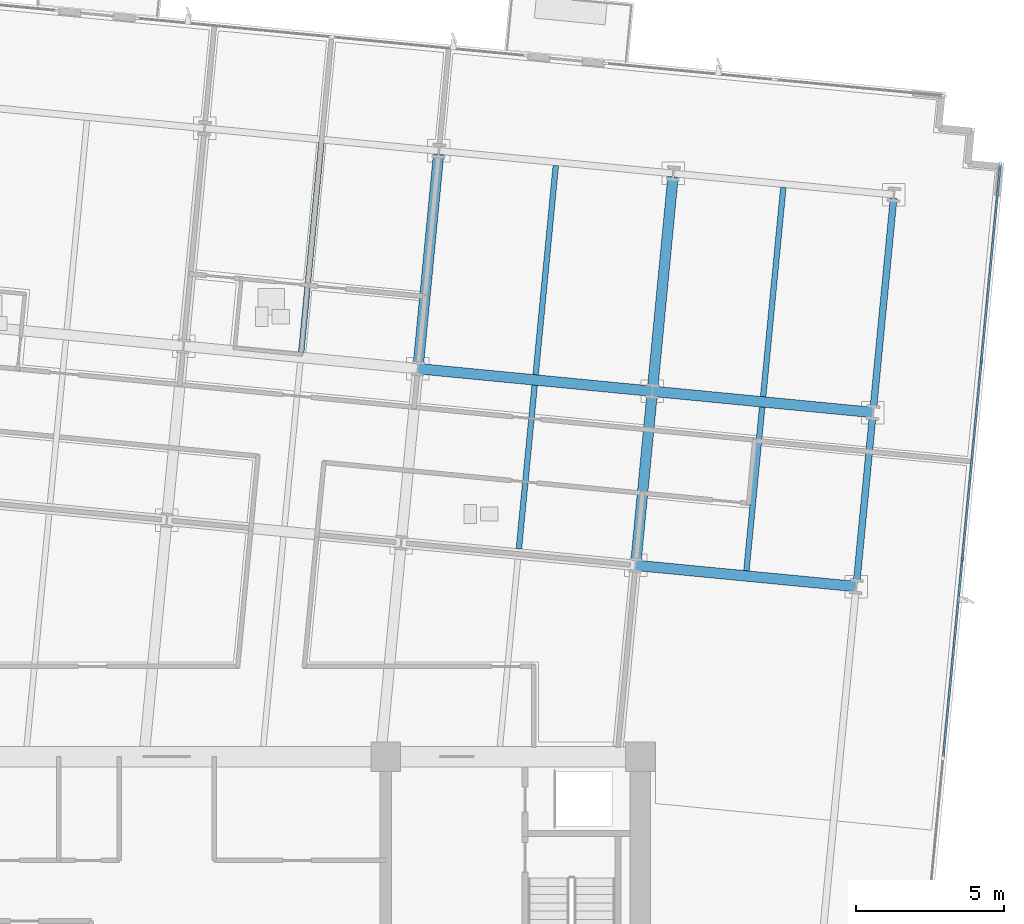
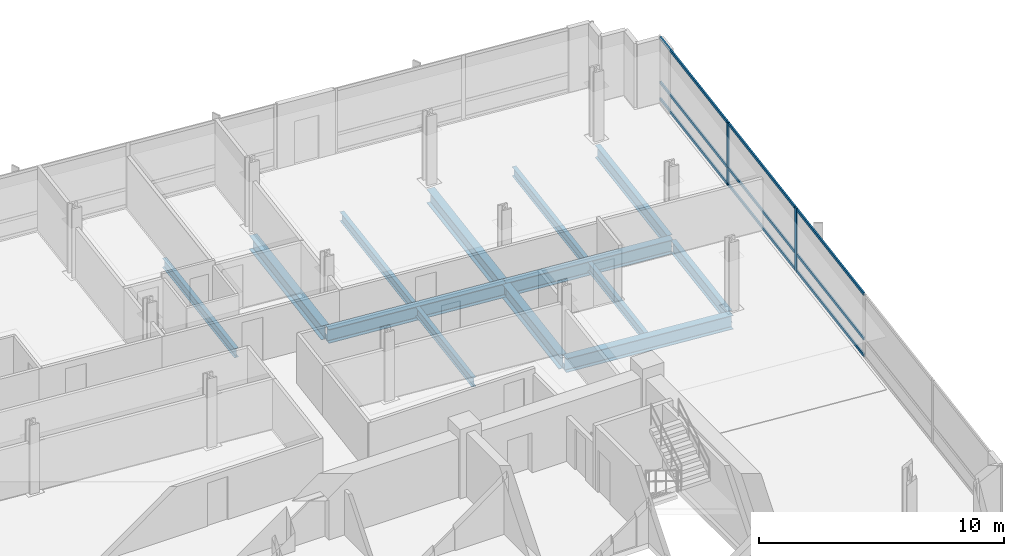
# One storey, part 6 of 17: 13 beams, 11 members, 1 element without a shape of its own.
"""IFC4 building model written with IfcOpenShell, lengths in metres."""

from ifc_helpers import new_model, si_unit, direction, frame, origin, origin_2d, place, context, subcontext, project, spatial, rectangle, i_section, extrude, material, material_profile, profile_set, type_object, element, aggregate, save


model = new_model("IFC4")

# Units and contexts
model_context = context("Model", 3, precision=1e-05, world=origin(), true_north=direction((0.0, 1.0)))
body_context = subcontext(model_context, "Body", "Model", "MODEL_VIEW")
ifc_project = project(units=[si_unit("LENGTHUNIT", "METRE"), si_unit("AREAUNIT", "SQUARE_METRE"), si_unit("VOLUMEUNIT", "CUBIC_METRE"), si_unit("PLANEANGLEUNIT", "RADIAN"), si_unit("MASSUNIT", "GRAM", prefix="KILO")], contexts=[model_context])

# Site, building, storey
site_placement = place(None, origin())
site = spatial("IfcSite", under=ifc_project, at=site_placement, CompositionType="ELEMENT")
building_placement = place(site_placement, origin())
building = spatial("IfcBuilding", under=site, at=building_placement, Name="Solmavex Isthmus Hotel", CompositionType="ELEMENT")
storey_placement = place(building_placement, frame((0.0, 0.0, 156.60009765625)))
storey = spatial("IfcBuildingStorey", under=building, at=storey_placement, Name="L42", CompositionType="ELEMENT", Elevation=156.60009765625)

# Beams
ifc_material_1 = material(Name="Steel ASTM A992 Grade 50", Category="steel")
ifc_material_profile_1 = material_profile(ifc_material_1, i_section(OverallWidth=0.354736328125, OverallDepth=0.695556640625, WebThickness=0.015380859375, FlangeThickness=0.02490234375, FilletRadius=0.017822265625, at=origin_2d()), Name="W27X146")
ifc_profile_set_1 = profile_set([ifc_material_profile_1], Name="Steel ASTM A992 Grade 50")
beam_type_1 = type_object("IfcBeamType", Name="BM-BG-W27X146", PredefinedType="BEAM", material=ifc_profile_set_1)
beam_1_placement = place(storey_placement, frame((15.840087890625, 3.96533203125, -0.60791015625), z_axis=(0.995394980007, -0.095858404835, 0.0), x_axis=(0.095858404835, 0.995394980007, 0.0)))
element("IfcBeam", 1, at=beam_1_placement, inside=storey, type_object=beam_type_1, Name="Floor Girder L42-UG08", PredefinedType="BEAM", context=body_context, shape_type="SweptSolid", body=[
    extrude(i_section(OverallWidth=0.354736328125, OverallDepth=0.695556640625, WebThickness=0.015380859375, FlangeThickness=0.02490234375, FilletRadius=0.017822265625, at=origin_2d()), origin(), (0.0, 0.0, 1.0), 7.48779296875),
])
beam_2_placement = place(storey_placement, frame((8.48681640625, 10.608642578125, -0.60791015625), z_axis=(0.995394512348, -0.095863260885, 0.0), x_axis=(0.095863260885, 0.995394512348, 0.0)))
element("IfcBeam", 2, at=beam_2_placement, inside=storey, type_object=beam_type_1, Name="Floor Girder L42-UG13", PredefinedType="BEAM", context=body_context, shape_type="SweptSolid", body=[
    extrude(i_section(OverallWidth=0.354736328125, OverallDepth=0.695556640625, WebThickness=0.015380859375, FlangeThickness=0.02490234375, FilletRadius=0.017822265625, at=origin_2d()), origin(), (0.0, 0.0, 1.0), 7.9560546875),
])
beam_3_placement = place(storey_placement, frame((16.40625, 9.845947265625, -0.60791015625), z_axis=(0.995398389938, -0.095822989454, 0.0), x_axis=(0.095822989454, 0.995398389938, 0.0)))
element("IfcBeam", 3, at=beam_3_placement, inside=storey, type_object=beam_type_1, Name="Floor Girder L42-UG14", PredefinedType="BEAM", context=body_context, shape_type="SweptSolid", body=[
    extrude(i_section(OverallWidth=0.354736328125, OverallDepth=0.695556640625, WebThickness=0.015380859375, FlangeThickness=0.02490234375, FilletRadius=0.017822265625, at=origin_2d()), origin(), (0.0, 0.0, 1.0), 7.488037109375),
])
beam_4_placement = place(storey_placement, frame((8.50390625, 10.78515625, -0.60791015625), z_axis=(0.095842805175, 0.99539648216, 0.0), x_axis=(-0.99539648216, 0.095842805175, 0.0)))
element("IfcBeam", 4, at=beam_4_placement, inside=storey, type_object=beam_type_1, Name="Floor Beam L42-VG35", PredefinedType="BEAM", context=body_context, shape_type="SweptSolid", body=[
    extrude(i_section(OverallWidth=0.354736328125, OverallDepth=0.695556640625, WebThickness=0.015380859375, FlangeThickness=0.02490234375, FilletRadius=0.017822265625, at=origin_2d()), origin(), (0.0, 0.0, 1.0), 7.099365234375),
])
beam_5_placement = place(storey_placement, frame((15.85693359375, 4.141845703125, -0.60791015625), z_axis=(0.095842252862, 0.99539653534, 0.0), x_axis=(-0.99539653534, 0.095842252862, 0.0)))
element("IfcBeam", 5, at=beam_5_placement, inside=storey, type_object=beam_type_1, Name="Floor Beam L42-VG37", PredefinedType="BEAM", context=body_context, shape_type="SweptSolid", body=[
    extrude(i_section(OverallWidth=0.354736328125, OverallDepth=0.695556640625, WebThickness=0.015380859375, FlangeThickness=0.02490234375, FilletRadius=0.017822265625, at=origin_2d()), origin(), (0.0, 0.0, 1.0), 5.55322265625),
])
beam_6_placement = place(storey_placement, frame((16.42333984375, 10.022705078125, -0.60791015625), z_axis=(0.095842805175, 0.99539648216, 0.0), x_axis=(-0.99539648216, 0.095842805175, 0.0)))
element("IfcBeam", 6, at=beam_6_placement, inside=storey, type_object=beam_type_1, Name="Floor Beam L42-VG38", PredefinedType="BEAM", context=body_context, shape_type="SweptSolid", body=[
    extrude(i_section(OverallWidth=0.354736328125, OverallDepth=0.695556640625, WebThickness=0.015380859375, FlangeThickness=0.02490234375, FilletRadius=0.017822265625, at=origin_2d()), origin(), (0.0, 0.0, 1.0), 7.099365234375),
])
ifc_material_profile_2 = material_profile(ifc_material_1, i_section(OverallWidth=0.1904296875, OverallDepth=0.456787109375, WebThickness=0.009033203125, FlangeThickness=0.014404296875, FilletRadius=0.0126953125, at=origin_2d()), Name="W18X50")
ifc_profile_set_2 = profile_set([ifc_material_profile_2], Name="Steel ASTM A992 Grade 50")
beam_type_2 = type_object("IfcBeamType", Name="BM-BJ-W18X50", PredefinedType="JOIST", material=ifc_profile_set_2)
beam_7_placement = place(storey_placement, frame((4.544189453125, 11.16650390625, -0.488525390625), z_axis=(0.095842805175, 0.99539648216, 0.0), x_axis=(-0.99539648216, 0.095842805175, 0.0)))
element("IfcBeam", 7, at=beam_7_placement, inside=storey, type_object=beam_type_2, Name="Secondary Floor Joist L42-J12", PredefinedType="JOIST", context=body_context, shape_type="SweptSolid", body=[
    extrude(i_section(OverallWidth=0.1904296875, OverallDepth=0.456787109375, WebThickness=0.009033203125, FlangeThickness=0.014404296875, FilletRadius=0.0126953125, at=origin_2d()), origin(), (0.0, 0.0, 1.0), 7.099365234375),
])
beam_8_placement = place(storey_placement, frame((11.8974609375, 4.523193359375, -0.488525390625), z_axis=(0.095842252862, 0.99539653534, 0.0), x_axis=(-0.99539653534, 0.095842252862, 0.0)))
element("IfcBeam", 8, at=beam_8_placement, inside=storey, type_object=beam_type_2, Name="Secondary Floor Joist L42-J14", PredefinedType="JOIST", context=body_context, shape_type="SweptSolid", body=[
    extrude(i_section(OverallWidth=0.1904296875, OverallDepth=0.456787109375, WebThickness=0.009033203125, FlangeThickness=0.014404296875, FilletRadius=0.0126953125, at=origin_2d()), origin(), (0.0, 0.0, 1.0), 5.55322265625),
])
beam_9_placement = place(storey_placement, frame((12.463623046875, 10.40380859375, -0.488525390625), z_axis=(0.095839524498, 0.995396798038, 0.0), x_axis=(-0.995396798038, 0.095839524498, 0.0)))
element("IfcBeam", 9, at=beam_9_placement, inside=storey, type_object=beam_type_2, Name="Secondary Floor Joist L42-J15", PredefinedType="JOIST", context=body_context, shape_type="SweptSolid", body=[
    extrude(i_section(OverallWidth=0.1904296875, OverallDepth=0.456787109375, WebThickness=0.009033203125, FlangeThickness=0.014404296875, FilletRadius=0.0126953125, at=origin_2d()), origin(), (0.0, 0.0, 1.0), 7.099609375),
])
beam_10_placement = place(storey_placement, frame((19.583740234375, 3.782958984375, -0.488525390625), z_axis=(0.095842252862, 0.99539653534, 0.0), x_axis=(-0.99539653534, 0.095842252862, 0.0)))
element("IfcBeam", 10, at=beam_10_placement, inside=storey, type_object=beam_type_2, Name="Secondary Floor Joist L42-J16", PredefinedType="JOIST", context=body_context, shape_type="SweptSolid", body=[
    extrude(i_section(OverallWidth=0.1904296875, OverallDepth=0.456787109375, WebThickness=0.009033203125, FlangeThickness=0.014404296875, FilletRadius=0.0126953125, at=origin_2d()), origin(), (0.0, 0.0, 1.0), 5.55322265625),
])
beam_11_placement = place(storey_placement, frame((20.150146484375, 9.663818359375, -0.488525390625), z_axis=(0.095842805175, 0.99539648216, 0.0), x_axis=(-0.99539648216, 0.095842805175, 0.0)))
element("IfcBeam", 11, at=beam_11_placement, inside=storey, type_object=beam_type_2, Name="Secondary Floor Joist L42-J17", PredefinedType="JOIST", context=body_context, shape_type="SweptSolid", body=[
    extrude(i_section(OverallWidth=0.1904296875, OverallDepth=0.456787109375, WebThickness=0.009033203125, FlangeThickness=0.014404296875, FilletRadius=0.0126953125, at=origin_2d()), origin(), (0.0, 0.0, 1.0), 7.099365234375),
])
ifc_material_profile_3 = material_profile(ifc_material_1, i_section(OverallWidth=0.230224609375, OverallDepth=0.617431640625, WebThickness=0.01318359375, FlangeThickness=0.022216796875, FilletRadius=0.01513671875, at=origin_2d()), Name="W24X94")
ifc_profile_set_3 = profile_set([ifc_material_profile_3], Name="Steel ASTM A992 Grade 50")
beam_type_3 = type_object("IfcBeamType", Name="BM-SP-W24X94", PredefinedType="SPANDREL", material=ifc_profile_set_3)
beam_12_placement = place(storey_placement, frame((23.310546875, 3.424072265625, -0.56884765625), z_axis=(0.095842252862, 0.99539653534, 0.0), x_axis=(-0.99539653534, 0.095842252862, 0.0)))
element("IfcBeam", 12, at=beam_12_placement, inside=storey, type_object=beam_type_3, Name="Floor Beam L42-VG40", PredefinedType="SPANDREL", context=body_context, shape_type="SweptSolid", body=[
    extrude(i_section(OverallWidth=0.230224609375, OverallDepth=0.617431640625, WebThickness=0.01318359375, FlangeThickness=0.022216796875, FilletRadius=0.01513671875, at=origin_2d()), origin(), (0.0, 0.0, 1.0), 5.55322265625),
])
beam_13_placement = place(storey_placement, frame((23.876708984375, 9.304931640625, -0.56884765625), z_axis=(0.09587687835, 0.9953932008, 0.0), x_axis=(-0.9953932008, 0.09587687835, 0.0)))
element("IfcBeam", 13, at=beam_13_placement, inside=storey, type_object=beam_type_3, Name="Floor Beam L42-VG41", PredefinedType="SPANDREL", context=body_context, shape_type="SweptSolid", body=[
    extrude(i_section(OverallWidth=0.230224609375, OverallDepth=0.617431640625, WebThickness=0.01318359375, FlangeThickness=0.022216796875, FilletRadius=0.01513671875, at=origin_2d()), origin(), (0.0, 0.0, 1.0), 7.099365234375),
])

# Curtain wall, members
ifc_material_2 = material(Name="Aluminium alloy 6063-T6", Category="aluminium")
curtain_wall_type = type_object("IfcCurtainWallType", Name="CW-SYS-03", PredefinedType="NOTDEFINED", material=ifc_material_2)
curtain_wall_placement = place(storey_placement, origin())
curtain_wall = element("IfcCurtainWall", 14, at=curtain_wall_placement, inside=storey, type_object=curtain_wall_type, Name="Stick Curtain Wall CWL-L42-E1", PredefinedType="NOTDEFINED")
ifc_material_profile_4 = material_profile(ifc_material_2, rectangle(XDim=0.070068359375, YDim=0.179931640625, at=origin_2d()), Name="CWM-70X180")
ifc_profile_set_4 = profile_set([ifc_material_profile_4], Name="Aluminium alloy 6063-T6")
member_type_1 = type_object("IfcMemberType", Name="CW-SYS-03-MUL", PredefinedType="MULLION", material=ifc_profile_set_4)
member_1_placement = place(storey_placement, frame((26.878173828125, 4.168212890625, 0.0), z_axis=(0.0, 0.0, 1.0), x_axis=(-0.995396190038, 0.09584583902, 0.0)))
member_1 = element("IfcMember", 15, at=member_1_placement, type_object=member_type_1, Name="CW-03 mullion 4", PredefinedType="MULLION", context=body_context, shape_type="SweptSolid", body=[
    extrude(rectangle(XDim=0.070068359375, YDim=0.179931640625, at=origin_2d()), origin(), (0.0, 0.0, 1.0), 3.18994140625),
])
member_2_placement = place(storey_placement, frame((27.5224609375, 10.857177734375, 0.0), z_axis=(0.0, 0.0, 1.0), x_axis=(-0.995396190038, 0.09584583902, 0.0)))
member_2 = element("IfcMember", 16, at=member_2_placement, type_object=member_type_1, Name="CW-03 mullion 5", PredefinedType="MULLION", context=body_context, shape_type="SweptSolid", body=[
    extrude(rectangle(XDim=0.070068359375, YDim=0.179931640625, at=origin_2d()), origin(), (0.0, 0.0, 1.0), 3.18994140625),
])
ifc_material_profile_5 = material_profile(ifc_material_2, rectangle(XDim=0.070068359375, YDim=0.139892578125, at=origin_2d()), Name="CWT-70X140")
ifc_profile_set_5 = profile_set([ifc_material_profile_5], Name="Aluminium alloy 6063-T6")
member_type_2 = type_object("IfcMemberType", Name="CW-SYS-03-TRN", PredefinedType="USERDEFINED", material=ifc_profile_set_5)
member_3_placement = place(storey_placement, frame((26.237548828125, -2.486083984375, 0.06982421875), z_axis=(0.095857212138, 0.995395094865, 0.0), x_axis=(-0.995395094865, 0.095857212138, 0.0)))
member_3 = element("IfcMember", 17, at=member_3_placement, type_object=member_type_2, Name="CW-03 transom 3.1", ObjectType="TRANSOM", PredefinedType="USERDEFINED", context=body_context, shape_type="SweptSolid", body=[
    extrude(rectangle(XDim=0.070068359375, YDim=0.139892578125, at=origin_2d()), origin(), (0.0, 0.0, 1.0), 6.64990234375),
])
member_4_placement = place(storey_placement, frame((26.237548828125, -2.486083984375, 0.89990234375), z_axis=(0.095857212138, 0.995395094865, 0.0), x_axis=(-0.995395094865, 0.095857212138, 0.0)))
member_4 = element("IfcMember", 18, at=member_4_placement, type_object=member_type_2, Name="CW-03 transom 3.2", ObjectType="TRANSOM", PredefinedType="USERDEFINED", context=body_context, shape_type="SweptSolid", body=[
    extrude(rectangle(XDim=0.070068359375, YDim=0.139892578125, at=origin_2d()), origin(), (0.0, 0.0, 1.0), 6.64990234375),
])
member_5_placement = place(storey_placement, frame((26.237548828125, -2.486083984375, 3.119873046875), z_axis=(0.095857212138, 0.995395094865, 0.0), x_axis=(-0.995395094865, 0.095857212138, 0.0)))
member_5 = element("IfcMember", 19, at=member_5_placement, type_object=member_type_2, Name="CW-03 transom 3.3", ObjectType="TRANSOM", PredefinedType="USERDEFINED", context=body_context, shape_type="SweptSolid", body=[
    extrude(rectangle(XDim=0.070068359375, YDim=0.139892578125, at=origin_2d()), origin(), (0.0, 0.0, 1.0), 6.64990234375),
])
member_6_placement = place(storey_placement, frame((26.881591796875, 4.203125, 0.06982421875), z_axis=(0.095857212138, 0.995395094865, 0.0), x_axis=(-0.995395094865, 0.095857212138, 0.0)))
member_6 = element("IfcMember", 20, at=member_6_placement, type_object=member_type_2, Name="CW-03 transom 4.1", ObjectType="TRANSOM", PredefinedType="USERDEFINED", context=body_context, shape_type="SweptSolid", body=[
    extrude(rectangle(XDim=0.070068359375, YDim=0.139892578125, at=origin_2d()), origin(), (0.0, 0.0, 1.0), 6.64990234375),
])
member_7_placement = place(storey_placement, frame((26.881591796875, 4.203125, 0.89990234375), z_axis=(0.095857212138, 0.995395094865, 0.0), x_axis=(-0.995395094865, 0.095857212138, 0.0)))
member_7 = element("IfcMember", 21, at=member_7_placement, type_object=member_type_2, Name="CW-03 transom 4.2", ObjectType="TRANSOM", PredefinedType="USERDEFINED", context=body_context, shape_type="SweptSolid", body=[
    extrude(rectangle(XDim=0.070068359375, YDim=0.139892578125, at=origin_2d()), origin(), (0.0, 0.0, 1.0), 6.64990234375),
])
member_8_placement = place(storey_placement, frame((26.881591796875, 4.203125, 3.119873046875), z_axis=(0.095857212138, 0.995395094865, 0.0), x_axis=(-0.995395094865, 0.095857212138, 0.0)))
member_8 = element("IfcMember", 22, at=member_8_placement, type_object=member_type_2, Name="CW-03 transom 4.3", ObjectType="TRANSOM", PredefinedType="USERDEFINED", context=body_context, shape_type="SweptSolid", body=[
    extrude(rectangle(XDim=0.070068359375, YDim=0.139892578125, at=origin_2d()), origin(), (0.0, 0.0, 1.0), 6.64990234375),
])
member_9_placement = place(storey_placement, frame((27.525634765625, 10.89208984375, 0.06982421875), z_axis=(0.095848837806, 0.995395901283, 0.0), x_axis=(-0.995395901283, 0.095848837806, 0.0)))
member_9 = element("IfcMember", 23, at=member_9_placement, type_object=member_type_2, Name="CW-03 transom 5.1", ObjectType="TRANSOM", PredefinedType="USERDEFINED", context=body_context, shape_type="SweptSolid", body=[
    extrude(rectangle(XDim=0.070068359375, YDim=0.139892578125, at=origin_2d()), origin(), (0.0, 0.0, 1.0), 6.614990234375),
])
member_10_placement = place(storey_placement, frame((27.525634765625, 10.89208984375, 0.89990234375), z_axis=(0.095848837806, 0.995395901283, 0.0), x_axis=(-0.995395901283, 0.095848837806, 0.0)))
member_10 = element("IfcMember", 24, at=member_10_placement, type_object=member_type_2, Name="CW-03 transom 5.2", ObjectType="TRANSOM", PredefinedType="USERDEFINED", context=body_context, shape_type="SweptSolid", body=[
    extrude(rectangle(XDim=0.070068359375, YDim=0.139892578125, at=origin_2d()), origin(), (0.0, 0.0, 1.0), 6.614990234375),
])
member_11_placement = place(storey_placement, frame((27.525634765625, 10.89208984375, 3.119873046875), z_axis=(0.095848837806, 0.995395901283, 0.0), x_axis=(-0.995395901283, 0.095848837806, 0.0)))
member_11 = element("IfcMember", 25, at=member_11_placement, type_object=member_type_2, Name="CW-03 transom 5.3", ObjectType="TRANSOM", PredefinedType="USERDEFINED", context=body_context, shape_type="SweptSolid", body=[
    extrude(rectangle(XDim=0.070068359375, YDim=0.139892578125, at=origin_2d()), origin(), (0.0, 0.0, 1.0), 6.614990234375),
])
aggregate(curtain_wall, [member_1, member_2, member_3, member_4, member_5, member_6, member_7, member_8, member_9, member_10, member_11])

save(model, "model.ifc")
